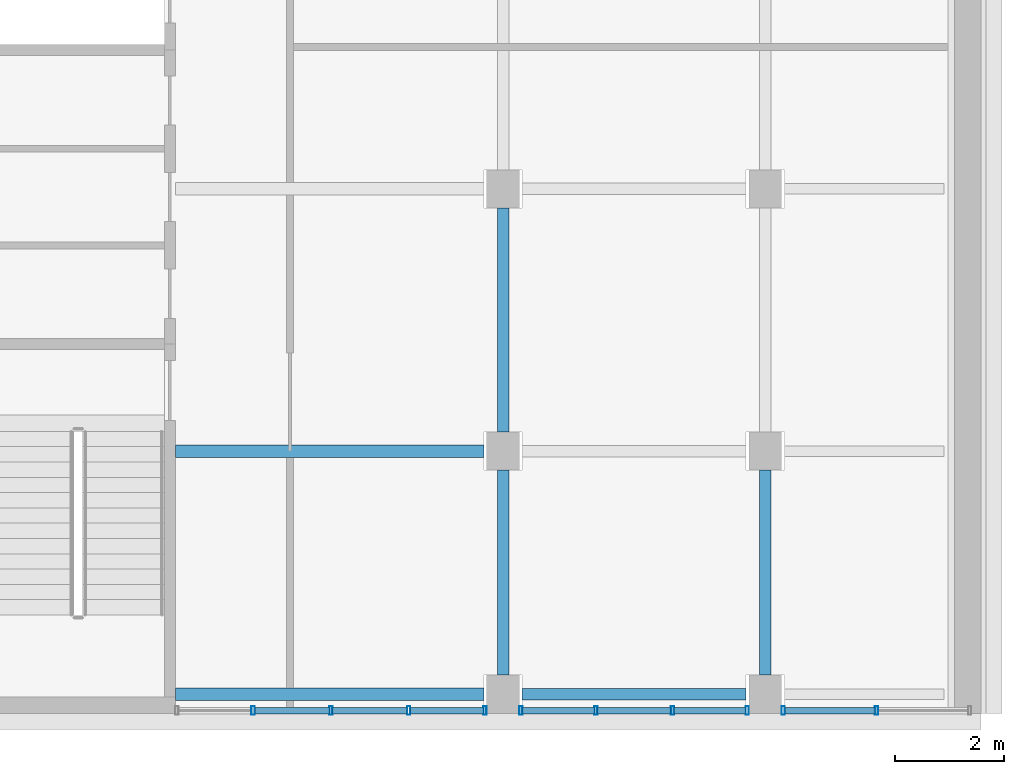
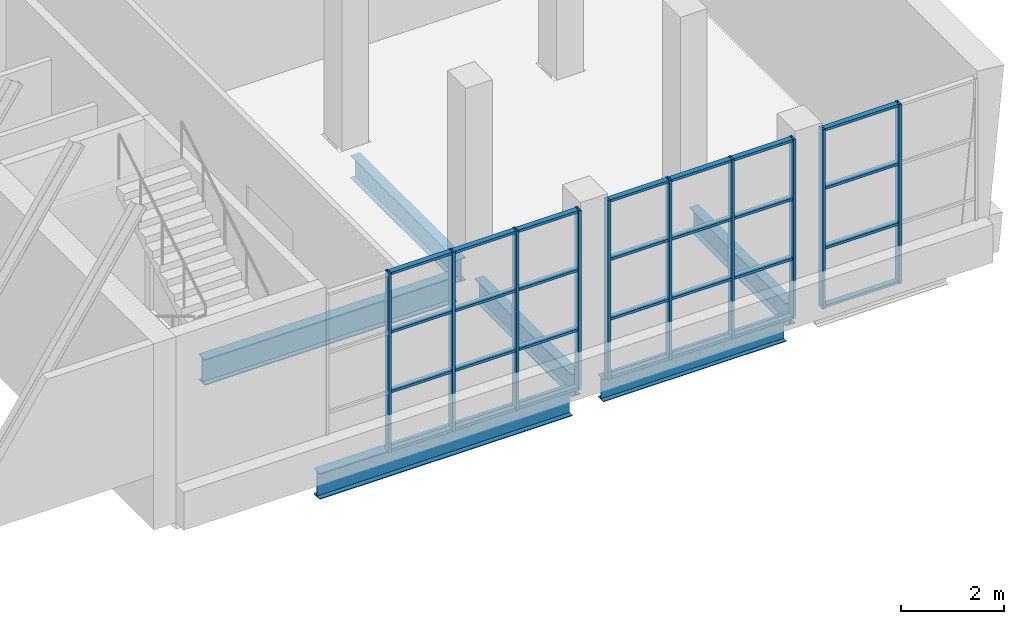
# One storey, part 10 of 32: 38 members, 6 beams, 3 elements without a shape of their own.
"""IFC4 building model written with IfcOpenShell, lengths in metres."""

from ifc_helpers import new_model, si_unit, direction, frame, origin, origin_2d, place, context, subcontext, project, spatial, hollow_rectangle, i_section, extrude, material, layer, layer_set, material_profile, profile_set, type_object, element, aggregate, save


model = new_model("IFC4")

# Units and contexts
model_context = context("Model", 3, precision=1e-05, world=origin(), true_north=direction((0.0, 1.0)))
body_context = subcontext(model_context, "Body", "Model", "MODEL_VIEW")
ifc_project = project(units=[si_unit("LENGTHUNIT", "METRE"), si_unit("AREAUNIT", "SQUARE_METRE"), si_unit("VOLUMEUNIT", "CUBIC_METRE"), si_unit("PLANEANGLEUNIT", "RADIAN"), si_unit("MASSUNIT", "GRAM", prefix="KILO")], contexts=[model_context])

# Site, building, storey
site_placement = place(None, origin())
site = spatial("IfcSite", under=ifc_project, at=site_placement, CompositionType="ELEMENT")
building_placement = place(site_placement, origin())
building = spatial("IfcBuilding", under=site, at=building_placement, Name="Baori Bourse Tower", CompositionType="ELEMENT")
storey_placement = place(building_placement, frame((0.0, 0.0, 21.39990234375)))
storey = spatial("IfcBuildingStorey", under=building, at=storey_placement, Name="L03", CompositionType="ELEMENT", Elevation=21.39990234375)

# Beams
ifc_material_1 = material(Name="Steel A992 Gr 50", Category="steel")
ifc_material_profile_1 = material_profile(ifc_material_1, i_section(OverallWidth=0.209228515625, OverallDepth=0.533447265625, WebThickness=0.01025390625, FlangeThickness=0.015625, at=origin_2d()), Name="W21x62")
ifc_profile_set_1 = profile_set([ifc_material_profile_1], Name="Steel A992 Gr 50")
beam_type_1 = type_object("IfcBeamType", Name="Wing beam W21x62", PredefinedType="BEAM", material=ifc_profile_set_1)
beam_1_placement = place(storey_placement, frame((71.64990234375, -24.85009765625, -0.426513671875), z_axis=(-1.0, 0.0, 0.0), x_axis=(0.0, -1.0, 0.0)))
element("IfcBeam", 1, at=beam_1_placement, inside=storey, type_object=beam_type_1, Name="wing/L03/Ebeam/002", PredefinedType="BEAM", context=body_context, shape_type="SweptSolid", body=[
    extrude(i_section(OverallWidth=0.209228515625, OverallDepth=0.533447265625, WebThickness=0.01025390625, FlangeThickness=0.015625, at=origin_2d()), origin(), (0.0, 0.0, 1.0), 4.099853515625),
])
for number, where, z_axis, x_axis, name in (
    (2, (72.0, -24.5, -0.426513671875), (0.0, 1.0, 0.0), (-1.0, 0.0, 0.0), "wing/L03/Ebeamy/001"),
    (3, (67.199951171875, -24.5, -0.426513671875), (0.0, 1.0, 0.0), (-1.0, 0.0, 0.0), "wing/L03/Ebeamy/006"),
):
    element("IfcBeam", number, at=place(storey_placement, frame(where, z_axis=z_axis, x_axis=x_axis)), inside=storey, type_object=beam_type_1, Name=name, PredefinedType="BEAM", context=body_context, shape_type="SweptSolid", body=[
        extrude(i_section(OverallWidth=0.209228515625, OverallDepth=0.533447265625, WebThickness=0.01025390625, FlangeThickness=0.015625, at=origin_2d()), origin(), (0.0, 0.0, 1.0), 3.75),
    ])
beam_2_placement = place(storey_placement, frame((67.199951171875, -20.050048828125, -0.426513671875), z_axis=(0.0, 1.0, 0.0), x_axis=(-1.0, 0.0, 0.0)))
element("IfcBeam", 4, at=beam_2_placement, inside=storey, type_object=beam_type_1, Name="wing/L03/Ebeamy/007", PredefinedType="BEAM", context=body_context, shape_type="SweptSolid", body=[
    extrude(i_section(OverallWidth=0.209228515625, OverallDepth=0.533447265625, WebThickness=0.01025390625, FlangeThickness=0.015625, at=origin_2d()), origin(), (0.0, 0.0, 1.0), 4.10009765625),
])
ifc_material_2 = material(Name="Steel A992 Gr 50", Category="steel")
ifc_material_profile_2 = material_profile(ifc_material_2, i_section(OverallWidth=0.22900390625, OverallDepth=0.612060546875, WebThickness=0.011962890625, FlangeThickness=0.01953125, at=origin_2d()), Name="W24x84")
ifc_profile_set_2 = profile_set([ifc_material_profile_2], Name="Steel A992 Gr 50")
beam_type_2 = type_object("IfcBeamType", Name="Wing beam W24x84", PredefinedType="BEAM", material=ifc_profile_set_2)
for number, where, z_axis, x_axis, name in (
    (5, (66.85009765625, -24.85009765625, -0.466064453125), (-1.0, 0.0, 0.0), (0.0, -1.0, 0.0), "wing/L03/Ebeam/003"),
    (6, (66.85009765625, -20.39990234375, -0.466064453125), (-1.0, 0.0, 0.0), (0.0, -1.0, 0.0), "wing/L03/Ebeam/006"),
):
    element("IfcBeam", number, at=place(storey_placement, frame(where, z_axis=z_axis, x_axis=x_axis)), inside=storey, type_object=beam_type_2, Name=name, PredefinedType="BEAM", context=body_context, shape_type="SweptSolid", body=[
        extrude(i_section(OverallWidth=0.22900390625, OverallDepth=0.612060546875, WebThickness=0.011962890625, FlangeThickness=0.01953125, at=origin_2d()), origin(), (0.0, 0.0, 1.0), 5.650146484375),
    ])

# Curtain wall, members
ifc_material_3 = material(Name="Pale anodised aluminium", Category="aluminium")
ifc_layer = layer(ifc_material_3, 0.10009765625)
ifc_layer_set = layer_set([ifc_layer], Name="Wing curtain wall")
curtain_wall_type = type_object("IfcCurtainWallType", Name="Wing curtain wall", PredefinedType="NOTDEFINED", material=ifc_layer_set)
curtain_wall_1_placement = place(storey_placement, origin())
curtain_wall_1 = element("IfcCurtainWall", 7, at=curtain_wall_1_placement, inside=storey, type_object=curtain_wall_type, Name="wing/L03/Ecw/001", PredefinedType="NOTDEFINED")
ifc_material_4 = material(Name="Pale anodised aluminium", Category="aluminium")
ifc_material_profile_3 = material_profile(ifc_material_4, hollow_rectangle(XDim=0.159912109375, YDim=0.06005859375, WallThickness=0.0048828125, at=origin_2d()), Name="Mullion 160x60x5")
ifc_profile_set_3 = profile_set([ifc_material_profile_3], Name="Pale anodised aluminium")
member_type_1 = type_object("IfcMemberType", Name="Wing mullion 60x160", PredefinedType="MULLION", material=ifc_profile_set_3)
member_1_placement = place(storey_placement, frame((72.330078125, -25.14990234375, 0.0), z_axis=(0.0, 0.0, 1.0), x_axis=(0.0, 1.0, 0.0)))
member_1 = element("IfcMember", 8, at=member_1_placement, type_object=member_type_1, Name="X12 mullion 1", PredefinedType="MULLION", context=body_context, shape_type="SweptSolid", body=[
    extrude(hollow_rectangle(XDim=0.159912109375, YDim=0.06005859375, WallThickness=0.0048828125, at=origin_2d()), origin(), (0.0, 0.0, 1.0), 4.239990234375),
])
member_2_placement = place(storey_placement, frame((74.036865234375, -25.14990234375, 0.0), z_axis=(0.0, 0.0, 1.0), x_axis=(0.0, 1.0, 0.0)))
member_2 = element("IfcMember", 9, at=member_2_placement, type_object=member_type_1, Name="X12 mullion 2", PredefinedType="MULLION", context=body_context, shape_type="SweptSolid", body=[
    extrude(hollow_rectangle(XDim=0.159912109375, YDim=0.06005859375, WallThickness=0.0048828125, at=origin_2d()), origin(), (0.0, 0.0, 1.0), 4.239990234375),
])

curtain_wall_2_placement = place(storey_placement, origin())
curtain_wall_2 = element("IfcCurtainWall", 10, at=curtain_wall_2_placement, inside=storey, type_object=curtain_wall_type, Name="wing/L03/Ecw/002", PredefinedType="NOTDEFINED")
member_3_placement = place(storey_placement, frame((67.530029296875, -25.14990234375, 0.0), z_axis=(0.0, 0.0, 1.0), x_axis=(0.0, 1.0, 0.0)))
member_3 = element("IfcMember", 11, at=member_3_placement, type_object=member_type_1, Name="X12 mullion 1", PredefinedType="MULLION", context=body_context, shape_type="SweptSolid", body=[
    extrude(hollow_rectangle(XDim=0.159912109375, YDim=0.06005859375, WallThickness=0.0048828125, at=origin_2d()), origin(), (0.0, 0.0, 1.0), 4.239990234375),
])
member_4_placement = place(storey_placement, frame((68.89990234375, -25.14990234375, 0.0), z_axis=(0.0, 0.0, 1.0), x_axis=(0.0, 1.0, 0.0)))
member_4 = element("IfcMember", 12, at=member_4_placement, type_object=member_type_1, Name="X12 mullion 2", PredefinedType="MULLION", context=body_context, shape_type="SweptSolid", body=[
    extrude(hollow_rectangle(XDim=0.159912109375, YDim=0.06005859375, WallThickness=0.0048828125, at=origin_2d()), origin(), (0.0, 0.0, 1.0), 4.239990234375),
])
member_5_placement = place(storey_placement, frame((70.300048828125, -25.14990234375, 0.0), z_axis=(0.0, 0.0, 1.0), x_axis=(0.0, 1.0, 0.0)))
member_5 = element("IfcMember", 13, at=member_5_placement, type_object=member_type_1, Name="X12 mullion 3", PredefinedType="MULLION", context=body_context, shape_type="SweptSolid", body=[
    extrude(hollow_rectangle(XDim=0.159912109375, YDim=0.06005859375, WallThickness=0.0048828125, at=origin_2d()), origin(), (0.0, 0.0, 1.0), 4.239990234375),
])
member_6_placement = place(storey_placement, frame((71.669921875, -25.14990234375, 0.0), z_axis=(0.0, 0.0, 1.0), x_axis=(0.0, 1.0, 0.0)))
member_6 = element("IfcMember", 14, at=member_6_placement, type_object=member_type_1, Name="X12 mullion 4", PredefinedType="MULLION", context=body_context, shape_type="SweptSolid", body=[
    extrude(hollow_rectangle(XDim=0.159912109375, YDim=0.06005859375, WallThickness=0.0048828125, at=origin_2d()), origin(), (0.0, 0.0, 1.0), 4.239990234375),
])

curtain_wall_3_placement = place(storey_placement, origin())
curtain_wall_3 = element("IfcCurtainWall", 15, at=curtain_wall_3_placement, inside=storey, type_object=curtain_wall_type, Name="wing/L03/Ecw/003", PredefinedType="NOTDEFINED")
member_7_placement = place(storey_placement, frame((62.625, -25.14990234375, 0.0), z_axis=(0.0, 0.0, 1.0), x_axis=(0.0, 1.0, 0.0)))
member_7 = element("IfcMember", 16, at=member_7_placement, type_object=member_type_1, Name="X12 mullion 2", PredefinedType="MULLION", context=body_context, shape_type="SweptSolid", body=[
    extrude(hollow_rectangle(XDim=0.159912109375, YDim=0.06005859375, WallThickness=0.0048828125, at=origin_2d()), origin(), (0.0, 0.0, 1.0), 4.239990234375),
])
member_8_placement = place(storey_placement, frame((64.050048828125, -25.14990234375, 0.0), z_axis=(0.0, 0.0, 1.0), x_axis=(0.0, 1.0, 0.0)))
member_8 = element("IfcMember", 17, at=member_8_placement, type_object=member_type_1, Name="X12 mullion 3", PredefinedType="MULLION", context=body_context, shape_type="SweptSolid", body=[
    extrude(hollow_rectangle(XDim=0.159912109375, YDim=0.06005859375, WallThickness=0.0048828125, at=origin_2d()), origin(), (0.0, 0.0, 1.0), 4.239990234375),
])
member_9_placement = place(storey_placement, frame((65.47509765625, -25.14990234375, 0.0), z_axis=(0.0, 0.0, 1.0), x_axis=(0.0, 1.0, 0.0)))
member_9 = element("IfcMember", 18, at=member_9_placement, type_object=member_type_1, Name="X12 mullion 4", PredefinedType="MULLION", context=body_context, shape_type="SweptSolid", body=[
    extrude(hollow_rectangle(XDim=0.159912109375, YDim=0.06005859375, WallThickness=0.0048828125, at=origin_2d()), origin(), (0.0, 0.0, 1.0), 4.239990234375),
])
member_10_placement = place(storey_placement, frame((66.8701171875, -25.14990234375, 0.0), z_axis=(0.0, 0.0, 1.0), x_axis=(0.0, 1.0, 0.0)))
member_10 = element("IfcMember", 19, at=member_10_placement, type_object=member_type_1, Name="X12 mullion 5", PredefinedType="MULLION", context=body_context, shape_type="SweptSolid", body=[
    extrude(hollow_rectangle(XDim=0.159912109375, YDim=0.06005859375, WallThickness=0.0048828125, at=origin_2d()), origin(), (0.0, 0.0, 1.0), 4.239990234375),
])

# Member
ifc_material_5 = material(Name="Pale anodised aluminium", Category="aluminium")
ifc_material_profile_4 = material_profile(ifc_material_5, hollow_rectangle(XDim=0.1201171875, YDim=0.06005859375, WallThickness=0.0048828125, at=origin_2d()), Name="Transom 120x60x5")
ifc_profile_set_4 = profile_set([ifc_material_profile_4], Name="Pale anodised aluminium")
member_type_2 = type_object("IfcMemberType", Name="Wing transom 120x60", PredefinedType="USERDEFINED", material=ifc_profile_set_4)
member_11_placement = place(storey_placement, frame((72.360107421875, -25.14990234375, 0.030029296875), z_axis=(1.0, 0.0, 0.0), x_axis=(0.0, 1.0, 0.0)))
member_11 = element("IfcMember", 20, at=member_11_placement, type_object=member_type_2, Name="X12 transom 1.1", ObjectType="TRANSOM", PredefinedType="USERDEFINED", context=body_context, shape_type="SweptSolid", body=[
    extrude(hollow_rectangle(XDim=0.1201171875, YDim=0.06005859375, WallThickness=0.0048828125, at=origin_2d()), origin(), (0.0, 0.0, 1.0), 1.646728515625),
])

member_12_placement = place(storey_placement, frame((72.360107421875, -25.14990234375, 1.413330078125), z_axis=(1.0, 0.0, 0.0), x_axis=(0.0, 1.0, 0.0)))
member_12 = element("IfcMember", 21, at=member_12_placement, type_object=member_type_2, Name="X12 transom 1.2", ObjectType="TRANSOM", PredefinedType="USERDEFINED", context=body_context, shape_type="SweptSolid", body=[
    extrude(hollow_rectangle(XDim=0.1201171875, YDim=0.06005859375, WallThickness=0.0048828125, at=origin_2d()), origin(), (0.0, 0.0, 1.0), 1.646728515625),
])

member_13_placement = place(storey_placement, frame((72.360107421875, -25.14990234375, 2.82666015625), z_axis=(1.0, 0.0, 0.0), x_axis=(0.0, 1.0, 0.0)))
member_13 = element("IfcMember", 22, at=member_13_placement, type_object=member_type_2, Name="X12 transom 1.3", ObjectType="TRANSOM", PredefinedType="USERDEFINED", context=body_context, shape_type="SweptSolid", body=[
    extrude(hollow_rectangle(XDim=0.1201171875, YDim=0.06005859375, WallThickness=0.0048828125, at=origin_2d()), origin(), (0.0, 0.0, 1.0), 1.646728515625),
])

member_14_placement = place(storey_placement, frame((72.360107421875, -25.14990234375, 4.210205078125), z_axis=(1.0, 0.0, 0.0), x_axis=(0.0, 1.0, 0.0)))
member_14 = element("IfcMember", 23, at=member_14_placement, type_object=member_type_2, Name="X12 transom 1.4", ObjectType="TRANSOM", PredefinedType="USERDEFINED", context=body_context, shape_type="SweptSolid", body=[
    extrude(hollow_rectangle(XDim=0.1201171875, YDim=0.06005859375, WallThickness=0.0048828125, at=origin_2d()), origin(), (0.0, 0.0, 1.0), 1.646728515625),
])

aggregate(curtain_wall_1, [member_1, member_2, member_11, member_12, member_13, member_14])

member_15_placement = place(storey_placement, frame((67.56005859375, -25.14990234375, 0.030029296875), z_axis=(1.0, 0.0, 0.0), x_axis=(0.0, 1.0, 0.0)))
member_15 = element("IfcMember", 24, at=member_15_placement, type_object=member_type_2, Name="X12 transom 1.1", ObjectType="TRANSOM", PredefinedType="USERDEFINED", context=body_context, shape_type="SweptSolid", body=[
    extrude(hollow_rectangle(XDim=0.1201171875, YDim=0.06005859375, WallThickness=0.0048828125, at=origin_2d()), origin(), (0.0, 0.0, 1.0), 1.31005859375),
])

member_16_placement = place(storey_placement, frame((67.56005859375, -25.14990234375, 1.413330078125), z_axis=(1.0, 0.0, 0.0), x_axis=(0.0, 1.0, 0.0)))
member_16 = element("IfcMember", 25, at=member_16_placement, type_object=member_type_2, Name="X12 transom 1.2", ObjectType="TRANSOM", PredefinedType="USERDEFINED", context=body_context, shape_type="SweptSolid", body=[
    extrude(hollow_rectangle(XDim=0.1201171875, YDim=0.06005859375, WallThickness=0.0048828125, at=origin_2d()), origin(), (0.0, 0.0, 1.0), 1.31005859375),
])

member_17_placement = place(storey_placement, frame((67.56005859375, -25.14990234375, 2.82666015625), z_axis=(1.0, 0.0, 0.0), x_axis=(0.0, 1.0, 0.0)))
member_17 = element("IfcMember", 26, at=member_17_placement, type_object=member_type_2, Name="X12 transom 1.3", ObjectType="TRANSOM", PredefinedType="USERDEFINED", context=body_context, shape_type="SweptSolid", body=[
    extrude(hollow_rectangle(XDim=0.1201171875, YDim=0.06005859375, WallThickness=0.0048828125, at=origin_2d()), origin(), (0.0, 0.0, 1.0), 1.31005859375),
])

member_18_placement = place(storey_placement, frame((67.56005859375, -25.14990234375, 4.210205078125), z_axis=(1.0, 0.0, 0.0), x_axis=(0.0, 1.0, 0.0)))
member_18 = element("IfcMember", 27, at=member_18_placement, type_object=member_type_2, Name="X12 transom 1.4", ObjectType="TRANSOM", PredefinedType="USERDEFINED", context=body_context, shape_type="SweptSolid", body=[
    extrude(hollow_rectangle(XDim=0.1201171875, YDim=0.06005859375, WallThickness=0.0048828125, at=origin_2d()), origin(), (0.0, 0.0, 1.0), 1.31005859375),
])

member_19_placement = place(storey_placement, frame((68.929931640625, -25.14990234375, 0.030029296875), z_axis=(1.0, 0.0, 0.0), x_axis=(0.0, 1.0, 0.0)))
member_19 = element("IfcMember", 28, at=member_19_placement, type_object=member_type_2, Name="X12 transom 2.1", ObjectType="TRANSOM", PredefinedType="USERDEFINED", context=body_context, shape_type="SweptSolid", body=[
    extrude(hollow_rectangle(XDim=0.1201171875, YDim=0.06005859375, WallThickness=0.0048828125, at=origin_2d()), origin(), (0.0, 0.0, 1.0), 1.340087890625),
])

member_20_placement = place(storey_placement, frame((68.929931640625, -25.14990234375, 1.413330078125), z_axis=(1.0, 0.0, 0.0), x_axis=(0.0, 1.0, 0.0)))
member_20 = element("IfcMember", 29, at=member_20_placement, type_object=member_type_2, Name="X12 transom 2.2", ObjectType="TRANSOM", PredefinedType="USERDEFINED", context=body_context, shape_type="SweptSolid", body=[
    extrude(hollow_rectangle(XDim=0.1201171875, YDim=0.06005859375, WallThickness=0.0048828125, at=origin_2d()), origin(), (0.0, 0.0, 1.0), 1.340087890625),
])

member_21_placement = place(storey_placement, frame((68.929931640625, -25.14990234375, 2.82666015625), z_axis=(1.0, 0.0, 0.0), x_axis=(0.0, 1.0, 0.0)))
member_21 = element("IfcMember", 30, at=member_21_placement, type_object=member_type_2, Name="X12 transom 2.3", ObjectType="TRANSOM", PredefinedType="USERDEFINED", context=body_context, shape_type="SweptSolid", body=[
    extrude(hollow_rectangle(XDim=0.1201171875, YDim=0.06005859375, WallThickness=0.0048828125, at=origin_2d()), origin(), (0.0, 0.0, 1.0), 1.340087890625),
])

member_22_placement = place(storey_placement, frame((68.929931640625, -25.14990234375, 4.210205078125), z_axis=(1.0, 0.0, 0.0), x_axis=(0.0, 1.0, 0.0)))
member_22 = element("IfcMember", 31, at=member_22_placement, type_object=member_type_2, Name="X12 transom 2.4", ObjectType="TRANSOM", PredefinedType="USERDEFINED", context=body_context, shape_type="SweptSolid", body=[
    extrude(hollow_rectangle(XDim=0.1201171875, YDim=0.06005859375, WallThickness=0.0048828125, at=origin_2d()), origin(), (0.0, 0.0, 1.0), 1.340087890625),
])

member_23_placement = place(storey_placement, frame((70.330078125, -25.14990234375, 0.030029296875), z_axis=(1.0, 0.0, 0.0), x_axis=(0.0, 1.0, 0.0)))
member_23 = element("IfcMember", 32, at=member_23_placement, type_object=member_type_2, Name="X12 transom 3.1", ObjectType="TRANSOM", PredefinedType="USERDEFINED", context=body_context, shape_type="SweptSolid", body=[
    extrude(hollow_rectangle(XDim=0.1201171875, YDim=0.06005859375, WallThickness=0.0048828125, at=origin_2d()), origin(), (0.0, 0.0, 1.0), 1.309814453125),
])

member_24_placement = place(storey_placement, frame((70.330078125, -25.14990234375, 1.413330078125), z_axis=(1.0, 0.0, 0.0), x_axis=(0.0, 1.0, 0.0)))
member_24 = element("IfcMember", 33, at=member_24_placement, type_object=member_type_2, Name="X12 transom 3.2", ObjectType="TRANSOM", PredefinedType="USERDEFINED", context=body_context, shape_type="SweptSolid", body=[
    extrude(hollow_rectangle(XDim=0.1201171875, YDim=0.06005859375, WallThickness=0.0048828125, at=origin_2d()), origin(), (0.0, 0.0, 1.0), 1.309814453125),
])

member_25_placement = place(storey_placement, frame((70.330078125, -25.14990234375, 2.82666015625), z_axis=(1.0, 0.0, 0.0), x_axis=(0.0, 1.0, 0.0)))
member_25 = element("IfcMember", 34, at=member_25_placement, type_object=member_type_2, Name="X12 transom 3.3", ObjectType="TRANSOM", PredefinedType="USERDEFINED", context=body_context, shape_type="SweptSolid", body=[
    extrude(hollow_rectangle(XDim=0.1201171875, YDim=0.06005859375, WallThickness=0.0048828125, at=origin_2d()), origin(), (0.0, 0.0, 1.0), 1.309814453125),
])

member_26_placement = place(storey_placement, frame((70.330078125, -25.14990234375, 4.210205078125), z_axis=(1.0, 0.0, 0.0), x_axis=(0.0, 1.0, 0.0)))
member_26 = element("IfcMember", 35, at=member_26_placement, type_object=member_type_2, Name="X12 transom 3.4", ObjectType="TRANSOM", PredefinedType="USERDEFINED", context=body_context, shape_type="SweptSolid", body=[
    extrude(hollow_rectangle(XDim=0.1201171875, YDim=0.06005859375, WallThickness=0.0048828125, at=origin_2d()), origin(), (0.0, 0.0, 1.0), 1.309814453125),
])

aggregate(curtain_wall_2, [member_3, member_4, member_5, member_6, member_15, member_16, member_17, member_18, member_19, member_20, member_21, member_22, member_23, member_24, member_25, member_26])

member_27_placement = place(storey_placement, frame((62.655029296875, -25.14990234375, 0.030029296875), z_axis=(1.0, 0.0, 0.0), x_axis=(0.0, 1.0, 0.0)))
member_27 = element("IfcMember", 36, at=member_27_placement, type_object=member_type_2, Name="X12 transom 2.1", ObjectType="TRANSOM", PredefinedType="USERDEFINED", context=body_context, shape_type="SweptSolid", body=[
    extrude(hollow_rectangle(XDim=0.1201171875, YDim=0.06005859375, WallThickness=0.0048828125, at=origin_2d()), origin(), (0.0, 0.0, 1.0), 1.364990234375),
])

member_28_placement = place(storey_placement, frame((62.655029296875, -25.14990234375, 1.413330078125), z_axis=(1.0, 0.0, 0.0), x_axis=(0.0, 1.0, 0.0)))
member_28 = element("IfcMember", 37, at=member_28_placement, type_object=member_type_2, Name="X12 transom 2.2", ObjectType="TRANSOM", PredefinedType="USERDEFINED", context=body_context, shape_type="SweptSolid", body=[
    extrude(hollow_rectangle(XDim=0.1201171875, YDim=0.06005859375, WallThickness=0.0048828125, at=origin_2d()), origin(), (0.0, 0.0, 1.0), 1.364990234375),
])

member_29_placement = place(storey_placement, frame((62.655029296875, -25.14990234375, 2.82666015625), z_axis=(1.0, 0.0, 0.0), x_axis=(0.0, 1.0, 0.0)))
member_29 = element("IfcMember", 38, at=member_29_placement, type_object=member_type_2, Name="X12 transom 2.3", ObjectType="TRANSOM", PredefinedType="USERDEFINED", context=body_context, shape_type="SweptSolid", body=[
    extrude(hollow_rectangle(XDim=0.1201171875, YDim=0.06005859375, WallThickness=0.0048828125, at=origin_2d()), origin(), (0.0, 0.0, 1.0), 1.364990234375),
])

member_30_placement = place(storey_placement, frame((62.655029296875, -25.14990234375, 4.210205078125), z_axis=(1.0, 0.0, 0.0), x_axis=(0.0, 1.0, 0.0)))
member_30 = element("IfcMember", 39, at=member_30_placement, type_object=member_type_2, Name="X12 transom 2.4", ObjectType="TRANSOM", PredefinedType="USERDEFINED", context=body_context, shape_type="SweptSolid", body=[
    extrude(hollow_rectangle(XDim=0.1201171875, YDim=0.06005859375, WallThickness=0.0048828125, at=origin_2d()), origin(), (0.0, 0.0, 1.0), 1.364990234375),
])

member_31_placement = place(storey_placement, frame((64.080078125, -25.14990234375, 0.030029296875), z_axis=(1.0, 0.0, 0.0), x_axis=(0.0, 1.0, 0.0)))
member_31 = element("IfcMember", 40, at=member_31_placement, type_object=member_type_2, Name="X12 transom 3.1", ObjectType="TRANSOM", PredefinedType="USERDEFINED", context=body_context, shape_type="SweptSolid", body=[
    extrude(hollow_rectangle(XDim=0.1201171875, YDim=0.06005859375, WallThickness=0.0048828125, at=origin_2d()), origin(), (0.0, 0.0, 1.0), 1.364990234375),
])

member_32_placement = place(storey_placement, frame((64.080078125, -25.14990234375, 1.413330078125), z_axis=(1.0, 0.0, 0.0), x_axis=(0.0, 1.0, 0.0)))
member_32 = element("IfcMember", 41, at=member_32_placement, type_object=member_type_2, Name="X12 transom 3.2", ObjectType="TRANSOM", PredefinedType="USERDEFINED", context=body_context, shape_type="SweptSolid", body=[
    extrude(hollow_rectangle(XDim=0.1201171875, YDim=0.06005859375, WallThickness=0.0048828125, at=origin_2d()), origin(), (0.0, 0.0, 1.0), 1.364990234375),
])

member_33_placement = place(storey_placement, frame((64.080078125, -25.14990234375, 2.82666015625), z_axis=(1.0, 0.0, 0.0), x_axis=(0.0, 1.0, 0.0)))
member_33 = element("IfcMember", 42, at=member_33_placement, type_object=member_type_2, Name="X12 transom 3.3", ObjectType="TRANSOM", PredefinedType="USERDEFINED", context=body_context, shape_type="SweptSolid", body=[
    extrude(hollow_rectangle(XDim=0.1201171875, YDim=0.06005859375, WallThickness=0.0048828125, at=origin_2d()), origin(), (0.0, 0.0, 1.0), 1.364990234375),
])

member_34_placement = place(storey_placement, frame((64.080078125, -25.14990234375, 4.210205078125), z_axis=(1.0, 0.0, 0.0), x_axis=(0.0, 1.0, 0.0)))
member_34 = element("IfcMember", 43, at=member_34_placement, type_object=member_type_2, Name="X12 transom 3.4", ObjectType="TRANSOM", PredefinedType="USERDEFINED", context=body_context, shape_type="SweptSolid", body=[
    extrude(hollow_rectangle(XDim=0.1201171875, YDim=0.06005859375, WallThickness=0.0048828125, at=origin_2d()), origin(), (0.0, 0.0, 1.0), 1.364990234375),
])

member_35_placement = place(storey_placement, frame((65.5048828125, -25.14990234375, 0.030029296875), z_axis=(1.0, 0.0, 0.0), x_axis=(0.0, 1.0, 0.0)))
member_35 = element("IfcMember", 44, at=member_35_placement, type_object=member_type_2, Name="X12 transom 4.1", ObjectType="TRANSOM", PredefinedType="USERDEFINED", context=body_context, shape_type="SweptSolid", body=[
    extrude(hollow_rectangle(XDim=0.1201171875, YDim=0.06005859375, WallThickness=0.0048828125, at=origin_2d()), origin(), (0.0, 0.0, 1.0), 1.335205078125),
])

member_36_placement = place(storey_placement, frame((65.5048828125, -25.14990234375, 1.413330078125), z_axis=(1.0, 0.0, 0.0), x_axis=(0.0, 1.0, 0.0)))
member_36 = element("IfcMember", 45, at=member_36_placement, type_object=member_type_2, Name="X12 transom 4.2", ObjectType="TRANSOM", PredefinedType="USERDEFINED", context=body_context, shape_type="SweptSolid", body=[
    extrude(hollow_rectangle(XDim=0.1201171875, YDim=0.06005859375, WallThickness=0.0048828125, at=origin_2d()), origin(), (0.0, 0.0, 1.0), 1.335205078125),
])

member_37_placement = place(storey_placement, frame((65.5048828125, -25.14990234375, 2.82666015625), z_axis=(1.0, 0.0, 0.0), x_axis=(0.0, 1.0, 0.0)))
member_37 = element("IfcMember", 46, at=member_37_placement, type_object=member_type_2, Name="X12 transom 4.3", ObjectType="TRANSOM", PredefinedType="USERDEFINED", context=body_context, shape_type="SweptSolid", body=[
    extrude(hollow_rectangle(XDim=0.1201171875, YDim=0.06005859375, WallThickness=0.0048828125, at=origin_2d()), origin(), (0.0, 0.0, 1.0), 1.335205078125),
])

member_38_placement = place(storey_placement, frame((65.5048828125, -25.14990234375, 4.210205078125), z_axis=(1.0, 0.0, 0.0), x_axis=(0.0, 1.0, 0.0)))
member_38 = element("IfcMember", 47, at=member_38_placement, type_object=member_type_2, Name="X12 transom 4.4", ObjectType="TRANSOM", PredefinedType="USERDEFINED", context=body_context, shape_type="SweptSolid", body=[
    extrude(hollow_rectangle(XDim=0.1201171875, YDim=0.06005859375, WallThickness=0.0048828125, at=origin_2d()), origin(), (0.0, 0.0, 1.0), 1.335205078125),
])

aggregate(curtain_wall_3, [member_7, member_8, member_9, member_10, member_27, member_28, member_29, member_30, member_31, member_32, member_33, member_34, member_35, member_36, member_37, member_38])

save(model, "model.ifc")
